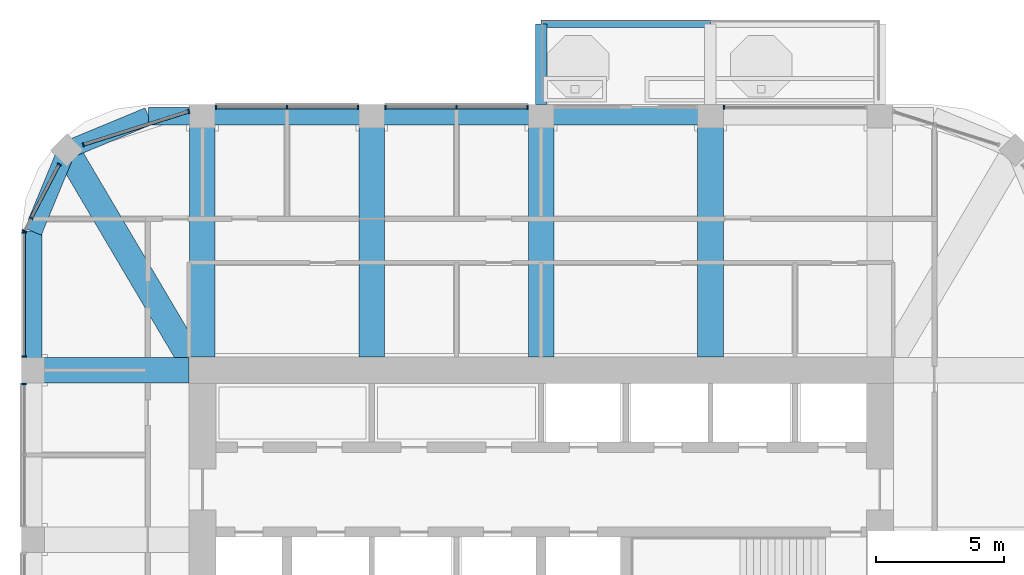
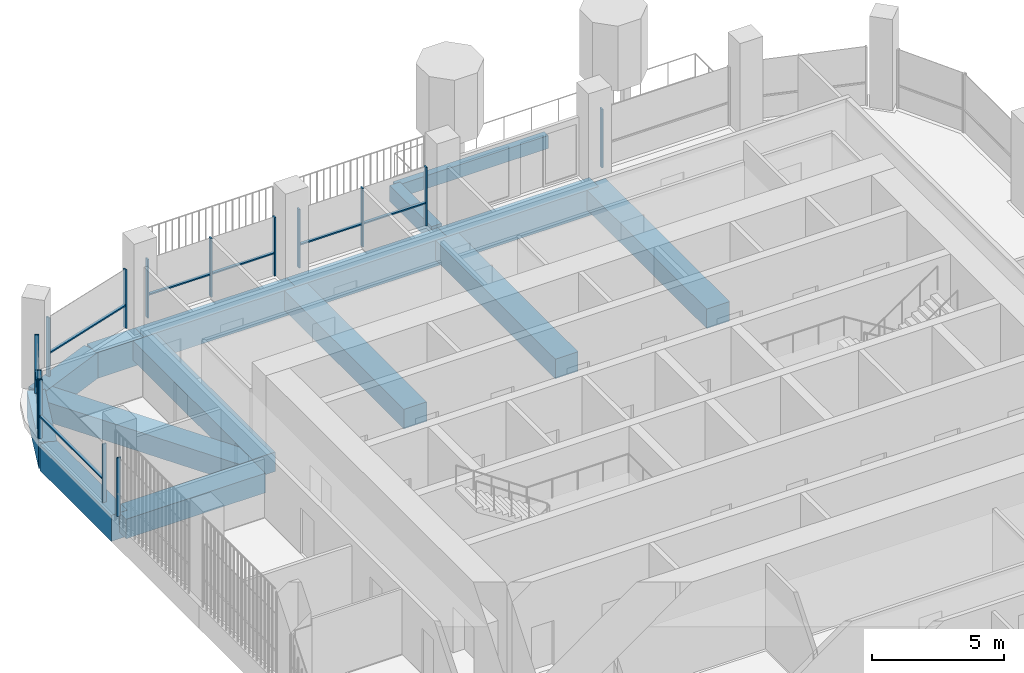
# One storey, part 6 of 21: 22 members, 15 beams, 7 elements without a shape of their own.
"""IFC4 building model written with IfcOpenShell, lengths in metres."""

from ifc_helpers import new_model, si_unit, direction, frame, origin, origin_2d, place, context, subcontext, project, spatial, rectangle, extrude, material, material_profile, profile_set, type_object, element, aggregate, save


model = new_model("IFC4")

# Units and contexts
model_context = context("Model", 3, precision=1e-05, world=origin(), true_north=direction((0.0, 1.0)))
body_context = subcontext(model_context, "Body", "Model", "MODEL_VIEW")
ifc_project = project(units=[si_unit("LENGTHUNIT", "METRE"), si_unit("AREAUNIT", "SQUARE_METRE"), si_unit("VOLUMEUNIT", "CUBIC_METRE"), si_unit("PLANEANGLEUNIT", "RADIAN"), si_unit("MASSUNIT", "GRAM", prefix="KILO")], contexts=[model_context])

# Site, building, storey
site_placement = place(None, origin())
site = spatial("IfcSite", under=ifc_project, at=site_placement, CompositionType="ELEMENT")
building_placement = place(site_placement, origin())
building = spatial("IfcBuilding", under=site, at=building_placement, Name="Cobogo Forest Laboratory Tower", CompositionType="ELEMENT")
storey_placement = place(building_placement, frame((0.0, 0.0, 267.0)))
storey = spatial("IfcBuildingStorey", under=building, at=storey_placement, Name="L61", CompositionType="ELEMENT", Elevation=267.0)

# Beams
ifc_material_1 = material(Name="Concrete HA-40 (C40/50)", Category="concrete")
ifc_material_profile_1 = material_profile(ifc_material_1, rectangle(XDim=0.449951171875, YDim=0.75, at=origin_2d()), Name="RC 450x750")
ifc_profile_set_1 = profile_set([ifc_material_profile_1], Name="Concrete HA-40 (C40/50)")
beam_type_1 = type_object("IfcBeamType", Name="Balcony cantilever beam 450x750", PredefinedType="BEAM", material=ifc_profile_set_1)
beam_1_placement = place(storey_placement, frame((26.39990234375, 43.35009765625, -0.625), z_axis=(0.0, 1.0, 0.0), x_axis=(-1.0, 0.0, 0.0)))
element("IfcBeam", 1, at=beam_1_placement, inside=storey, type_object=beam_type_1, Name="CB1 BAL-N1-C1 L61", PredefinedType="BEAM", context=body_context, shape_type="SweptSolid", body=[
    extrude(rectangle(XDim=0.449951171875, YDim=0.75, at=origin_2d()), origin(), (0.0, 0.0, 1.0), 3.14990234375),
])
ifc_material_profile_2 = material_profile(ifc_material_1, rectangle(XDim=0.300048828125, YDim=0.60009765625, at=origin_2d()), Name="RC 300x600")
ifc_profile_set_2 = profile_set([ifc_material_profile_2], Name="Concrete HA-40 (C40/50)")
beam_type_2 = type_object("IfcBeamType", Name="Balcony edge beam 300x600", PredefinedType="BEAM", material=ifc_profile_set_2)
beam_2_placement = place(storey_placement, frame((26.39990234375, 46.5, -0.550048828125), z_axis=(1.0, 0.0, 0.0), x_axis=(0.0, 1.0, 0.0)))
element("IfcBeam", 2, at=beam_2_placement, inside=storey, type_object=beam_type_2, Name="BB1 BAL-N1-T1 L61", PredefinedType="BEAM", context=body_context, shape_type="SweptSolid", body=[
    extrude(rectangle(XDim=0.300048828125, YDim=0.60009765625, at=origin_2d()), origin(), (0.0, 0.0, 1.0), 6.60009765625),
])

# Curtain wall, member
ifc_material_2 = material(Name="Aluminium curtain wall", Category="aluminium")
curtain_wall_type = type_object("IfcCurtainWallType", Name="CW-2 unitised curtain wall, solar control glazing, laboratory floors zones C and D", PredefinedType="USERDEFINED", material=ifc_material_2)
curtain_wall_1_placement = place(storey_placement, origin())
curtain_wall_1 = element("IfcCurtainWall", 3, at=curtain_wall_1_placement, inside=storey, type_object=curtain_wall_type, Name="Curtain wall 14 L61", ObjectType="UNITISED CURTAIN WALL", PredefinedType="USERDEFINED")
ifc_material_3 = material(Name="Aluminium mullion", Category="aluminium")
ifc_material_profile_3 = material_profile(ifc_material_3, rectangle(XDim=0.06005859375, YDim=0.159912109375, at=origin_2d()), Name="AL 60x160")
ifc_profile_set_3 = profile_set([ifc_material_profile_3], Name="Aluminium mullion")
member_type_1 = type_object("IfcMemberType", Name="MU-1 aluminium mullion 60x160", PredefinedType="MULLION", material=ifc_profile_set_3)
member_1_placement = place(storey_placement, frame((33.530029296875, 43.25, 0.0), z_axis=(0.0, 0.0, 1.0), x_axis=(-1.0, 0.0, 0.0)))
member_1 = element("IfcMember", 4, at=member_1_placement, type_object=member_type_1, Name="CW-2 mullion 2", PredefinedType="MULLION", context=body_context, shape_type="SweptSolid", body=[
    extrude(rectangle(XDim=0.06005859375, YDim=0.159912109375, at=origin_2d()), origin(), (0.0, 0.0, 1.0), 2.699951171875),
])
aggregate(curtain_wall_1, [member_1])

# Curtain wall, members
curtain_wall_2_placement = place(storey_placement, origin())
curtain_wall_2 = element("IfcCurtainWall", 5, at=curtain_wall_2_placement, inside=storey, type_object=curtain_wall_type, Name="Curtain wall 16 L61", ObjectType="UNITISED CURTAIN WALL", PredefinedType="USERDEFINED")
member_2_placement = place(storey_placement, frame((25.8701171875, 43.25, 0.0), z_axis=(0.0, 0.0, 1.0), x_axis=(-1.0, 0.0, 0.0)))
member_2 = element("IfcMember", 6, at=member_2_placement, type_object=member_type_1, Name="CW-2 mullion 1", PredefinedType="MULLION", context=body_context, shape_type="SweptSolid", body=[
    extrude(rectangle(XDim=0.06005859375, YDim=0.159912109375, at=origin_2d()), origin(), (0.0, 0.0, 1.0), 2.699951171875),
])
member_3_placement = place(storey_placement, frame((23.10009765625, 43.25, 0.0), z_axis=(0.0, 0.0, 1.0), x_axis=(-1.0, 0.0, 0.0)))
member_3 = element("IfcMember", 7, at=member_3_placement, type_object=member_type_1, Name="CW-2 mullion 2", PredefinedType="MULLION", context=body_context, shape_type="SweptSolid", body=[
    extrude(rectangle(XDim=0.06005859375, YDim=0.159912109375, at=origin_2d()), origin(), (0.0, 0.0, 1.0), 2.699951171875),
])
member_4_placement = place(storey_placement, frame((20.330078125, 43.25, 0.0), z_axis=(0.0, 0.0, 1.0), x_axis=(-1.0, 0.0, 0.0)))
member_4 = element("IfcMember", 8, at=member_4_placement, type_object=member_type_1, Name="CW-2 mullion 3", PredefinedType="MULLION", context=body_context, shape_type="SweptSolid", body=[
    extrude(rectangle(XDim=0.06005859375, YDim=0.159912109375, at=origin_2d()), origin(), (0.0, 0.0, 1.0), 2.699951171875),
])

curtain_wall_3_placement = place(storey_placement, origin())
curtain_wall_3 = element("IfcCurtainWall", 9, at=curtain_wall_3_placement, inside=storey, type_object=curtain_wall_type, Name="Curtain wall 17 L61", ObjectType="UNITISED CURTAIN WALL", PredefinedType="USERDEFINED")
member_5_placement = place(storey_placement, frame((19.27001953125, 43.25, 0.0), z_axis=(0.0, 0.0, 1.0), x_axis=(-1.0, 0.0, 0.0)))
member_5 = element("IfcMember", 10, at=member_5_placement, type_object=member_type_1, Name="CW-2 mullion 1", PredefinedType="MULLION", context=body_context, shape_type="SweptSolid", body=[
    extrude(rectangle(XDim=0.06005859375, YDim=0.159912109375, at=origin_2d()), origin(), (0.0, 0.0, 1.0), 2.699951171875),
])
member_6_placement = place(storey_placement, frame((16.5, 43.25, 0.0), z_axis=(0.0, 0.0, 1.0), x_axis=(-1.0, 0.0, 0.0)))
member_6 = element("IfcMember", 11, at=member_6_placement, type_object=member_type_1, Name="CW-2 mullion 2", PredefinedType="MULLION", context=body_context, shape_type="SweptSolid", body=[
    extrude(rectangle(XDim=0.06005859375, YDim=0.159912109375, at=origin_2d()), origin(), (0.0, 0.0, 1.0), 2.699951171875),
])
member_7_placement = place(storey_placement, frame((13.72998046875, 43.25, 0.0), z_axis=(0.0, 0.0, 1.0), x_axis=(-1.0, 0.0, 0.0)))
member_7 = element("IfcMember", 12, at=member_7_placement, type_object=member_type_1, Name="CW-2 mullion 3", PredefinedType="MULLION", context=body_context, shape_type="SweptSolid", body=[
    extrude(rectangle(XDim=0.06005859375, YDim=0.159912109375, at=origin_2d()), origin(), (0.0, 0.0, 1.0), 2.699951171875),
])

curtain_wall_4_placement = place(storey_placement, origin())
curtain_wall_4 = element("IfcCurtainWall", 13, at=curtain_wall_4_placement, inside=storey, type_object=curtain_wall_type, Name="Curtain wall 18 L61", ObjectType="UNITISED CURTAIN WALL", PredefinedType="USERDEFINED")
member_8_placement = place(storey_placement, frame((12.67138671875, 43.0830078125, 0.0), z_axis=(0.0, 0.0, 1.0), x_axis=(-0.953581379409, -0.301135439371, 0.0)))
member_8 = element("IfcMember", 14, at=member_8_placement, type_object=member_type_1, Name="CW-2 mullion 1", PredefinedType="MULLION", context=body_context, shape_type="SweptSolid", body=[
    extrude(rectangle(XDim=0.06005859375, YDim=0.159912109375, at=origin_2d()), origin(), (0.0, 0.0, 1.0), 2.699951171875),
])
member_9_placement = place(storey_placement, frame((8.570068359375, 41.787841796875, 0.0), z_axis=(0.0, 0.0, 1.0), x_axis=(-0.953581379409, -0.301135439371, 0.0)))
member_9 = element("IfcMember", 15, at=member_9_placement, type_object=member_type_1, Name="CW-2 mullion 2", PredefinedType="MULLION", context=body_context, shape_type="SweptSolid", body=[
    extrude(rectangle(XDim=0.06005859375, YDim=0.159912109375, at=origin_2d()), origin(), (0.0, 0.0, 1.0), 2.699951171875),
])

curtain_wall_5_placement = place(storey_placement, origin())
curtain_wall_5 = element("IfcCurtainWall", 16, at=curtain_wall_5_placement, inside=storey, type_object=curtain_wall_type, Name="Curtain wall 19 L61", ObjectType="UNITISED CURTAIN WALL", PredefinedType="USERDEFINED")
member_10_placement = place(storey_placement, frame((7.6220703125, 41.017333984375, 0.0), z_axis=(0.0, 0.0, 1.0), x_axis=(-0.464283778337, -0.885686498245, 0.0)))
member_10 = element("IfcMember", 17, at=member_10_placement, type_object=member_type_1, Name="CW-2 mullion 1", PredefinedType="MULLION", context=body_context, shape_type="SweptSolid", body=[
    extrude(rectangle(XDim=0.06005859375, YDim=0.159912109375, at=origin_2d()), origin(), (0.0, 0.0, 1.0), 2.699951171875),
])
member_11_placement = place(storey_placement, frame((6.531494140625, 38.937255859375, 0.0), z_axis=(0.0, 0.0, 1.0), x_axis=(-0.464283778337, -0.885686498245, 0.0)))
member_11 = element("IfcMember", 18, at=member_11_placement, type_object=member_type_1, Name="CW-2 mullion 2", PredefinedType="MULLION", context=body_context, shape_type="SweptSolid", body=[
    extrude(rectangle(XDim=0.06005859375, YDim=0.159912109375, at=origin_2d()), origin(), (0.0, 0.0, 1.0), 2.699951171875),
])
member_12_placement = place(storey_placement, frame((6.263916015625, 38.426513671875, 0.0), z_axis=(0.0, 0.0, 1.0), x_axis=(-0.464283778337, -0.885686498245, 0.0)))
member_12 = element("IfcMember", 19, at=member_12_placement, type_object=member_type_1, Name="CW-2 mullion 3", PredefinedType="MULLION", context=body_context, shape_type="SweptSolid", body=[
    extrude(rectangle(XDim=0.06005859375, YDim=0.159912109375, at=origin_2d()), origin(), (0.0, 0.0, 1.0), 2.699951171875),
])

curtain_wall_6_placement = place(storey_placement, origin())
curtain_wall_6 = element("IfcCurtainWall", 20, at=curtain_wall_6_placement, inside=storey, type_object=curtain_wall_type, Name="Curtain wall 20 L61", ObjectType="UNITISED CURTAIN WALL", PredefinedType="USERDEFINED")
member_13_placement = place(storey_placement, frame((6.25, 38.3701171875, 0.0), z_axis=(0.0, 0.0, 1.0), x_axis=(0.0, -1.0, 0.0)))
member_13 = element("IfcMember", 21, at=member_13_placement, type_object=member_type_1, Name="CW-2 mullion 1", PredefinedType="MULLION", context=body_context, shape_type="SweptSolid", body=[
    extrude(rectangle(XDim=0.06005859375, YDim=0.159912109375, at=origin_2d()), origin(), (0.0, 0.0, 1.0), 2.699951171875),
])
member_14_placement = place(storey_placement, frame((6.25, 33.530029296875, 0.0), z_axis=(0.0, 0.0, 1.0), x_axis=(0.0, -1.0, 0.0)))
member_14 = element("IfcMember", 22, at=member_14_placement, type_object=member_type_1, Name="CW-2 mullion 2", PredefinedType="MULLION", context=body_context, shape_type="SweptSolid", body=[
    extrude(rectangle(XDim=0.06005859375, YDim=0.159912109375, at=origin_2d()), origin(), (0.0, 0.0, 1.0), 2.699951171875),
])

# Curtain wall, member
curtain_wall_7_placement = place(storey_placement, origin())
curtain_wall_7 = element("IfcCurtainWall", 23, at=curtain_wall_7_placement, inside=storey, type_object=curtain_wall_type, Name="Curtain wall 21 L61", ObjectType="UNITISED CURTAIN WALL", PredefinedType="USERDEFINED")
member_15_placement = place(storey_placement, frame((6.25, 32.469970703125, 0.0), z_axis=(0.0, 0.0, 1.0), x_axis=(0.0, -1.0, 0.0)))
member_15 = element("IfcMember", 24, at=member_15_placement, type_object=member_type_1, Name="CW-2 mullion 1", PredefinedType="MULLION", context=body_context, shape_type="SweptSolid", body=[
    extrude(rectangle(XDim=0.06005859375, YDim=0.159912109375, at=origin_2d()), origin(), (0.0, 0.0, 1.0), 2.699951171875),
])
aggregate(curtain_wall_7, [member_15])

# Beams
ifc_material_profile_4 = material_profile(ifc_material_1, rectangle(XDim=1.0, YDim=0.89990234375, at=origin_2d()), Name="RC 1000x900")
ifc_profile_set_4 = profile_set([ifc_material_profile_4], Name="Concrete HA-40 (C40/50)")
beam_type_3 = type_object("IfcBeamType", Name="Office floor wide beam 1000x900", PredefinedType="BEAM", material=ifc_profile_set_4)
for number, where, z_axis, x_axis, name in (
    (25, (13.199951171875, 33.52490234375, -0.75), (0.0, 1.0, 0.0), (-1.0, 0.0, 0.0), "RB2 R-3-N L61"),
    (26, (19.800048828125, 33.52490234375, -0.75), (0.0, 1.0, 0.0), (-1.0, 0.0, 0.0), "RB2 R-4-N L61"),
    (27, (26.39990234375, 33.52490234375, -0.75), (0.0, 1.0, 0.0), (-1.0, 0.0, 0.0), "RB2 R-5-N L61"),
    (28, (33.0, 33.52490234375, -0.75), (0.0, 1.0, 0.0), (-1.0, 0.0, 0.0), "RB2 R-6-N L61"),
):
    element("IfcBeam", number, at=place(storey_placement, frame(where, z_axis=z_axis, x_axis=x_axis)), inside=storey, type_object=beam_type_3, Name=name, PredefinedType="BEAM", context=body_context, shape_type="SweptSolid", body=[
        extrude(rectangle(XDim=1.0, YDim=0.89990234375, at=origin_2d()), origin(), (0.0, 0.0, 1.0), 9.375),
    ])
beam_3_placement = place(storey_placement, frame((12.675048828125, 33.0, -0.75), z_axis=(-1.0, 0.0, 0.0), x_axis=(0.0, -1.0, 0.0)))
element("IfcBeam", 29, at=beam_3_placement, inside=storey, type_object=beam_type_3, Name="RB2 R-F-W L61", PredefinedType="BEAM", context=body_context, shape_type="SweptSolid", body=[
    extrude(rectangle(XDim=1.0, YDim=0.89990234375, at=origin_2d()), origin(), (0.0, 0.0, 1.0), 6.074951171875),
])
beam_4_placement = place(storey_placement, frame((7.91796875, 41.58203125, -0.75), z_axis=(0.508416325908, -0.861111397875, 0.0), x_axis=(0.861111397875, 0.508416325908, 0.0)))
element("IfcBeam", 30, at=beam_4_placement, inside=storey, type_object=beam_type_3, Name="RB2 G-NW-D1 L61", PredefinedType="BEAM", context=body_context, shape_type="SweptSolid", body=[
    extrude(rectangle(XDim=1.0, YDim=0.89990234375, at=origin_2d()), origin(), (0.0, 0.0, 1.0), 9.356689453125),
])
ifc_material_profile_5 = material_profile(ifc_material_1, rectangle(XDim=0.699951171875, YDim=1.199951171875, at=origin_2d()), Name="RC 700x1200")
ifc_profile_set_5 = profile_set([ifc_material_profile_5], Name="Concrete HA-40 (C40/50)")
beam_type_4 = type_object("IfcBeamType", Name="Perimeter edge beam 700x1200", PredefinedType="BEAM", material=ifc_profile_set_5)
beam_5_placement = place(storey_placement, frame((13.199951171875, 42.89990234375, -0.89990234375), z_axis=(1.0, 0.0, 0.0), x_axis=(0.0, 1.0, 0.0)))
element("IfcBeam", 31, at=beam_5_placement, inside=storey, type_object=beam_type_4, Name="EB1 E-N1 L61", PredefinedType="BEAM", context=body_context, shape_type="SweptSolid", body=[
    extrude(rectangle(XDim=0.699951171875, YDim=1.199951171875, at=origin_2d()), origin(), (0.0, 0.0, 1.0), 6.60009765625),
])
beam_6_placement = place(storey_placement, frame((19.800048828125, 42.89990234375, -0.89990234375), z_axis=(1.0, 0.0, 0.0), x_axis=(0.0, 1.0, 0.0)))
element("IfcBeam", 32, at=beam_6_placement, inside=storey, type_object=beam_type_4, Name="EB1 E-N2 L61", PredefinedType="BEAM", context=body_context, shape_type="SweptSolid", body=[
    extrude(rectangle(XDim=0.699951171875, YDim=1.199951171875, at=origin_2d()), origin(), (0.0, 0.0, 1.0), 6.599853515625),
])
beam_7_placement = place(storey_placement, frame((26.39990234375, 42.89990234375, -0.89990234375), z_axis=(1.0, 0.0, 0.0), x_axis=(0.0, 1.0, 0.0)))
element("IfcBeam", 33, at=beam_7_placement, inside=storey, type_object=beam_type_4, Name="EB1 E-N3 L61", PredefinedType="BEAM", context=body_context, shape_type="SweptSolid", body=[
    extrude(rectangle(XDim=0.699951171875, YDim=1.199951171875, at=origin_2d()), origin(), (0.0, 0.0, 1.0), 6.60009765625),
])
beam_8_placement = place(storey_placement, frame((13.199951171875, 42.89990234375, -0.89990234375), z_axis=(-1.0, 0.0, 0.0), x_axis=(0.0, -1.0, 0.0)))
element("IfcBeam", 34, at=beam_8_placement, inside=storey, type_object=beam_type_4, Name="EB1 E-NWN1 L61", PredefinedType="BEAM", context=body_context, shape_type="SweptSolid", body=[
    extrude(rectangle(XDim=0.699951171875, YDim=1.199951171875, at=origin_2d()), origin(), (0.0, 0.0, 1.0), 2.099853515625),
])
beam_9_placement = place(storey_placement, frame((11.10009765625, 42.89990234375, -0.89990234375), z_axis=(-0.923901072997, -0.382631424892, 0.0), x_axis=(0.382631424892, -0.923901072997, 0.0)))
element("IfcBeam", 35, at=beam_9_placement, inside=storey, type_object=beam_type_4, Name="EB1 E-NWN2 L61", PredefinedType="BEAM", context=body_context, shape_type="SweptSolid", body=[
    extrude(rectangle(XDim=0.699951171875, YDim=1.199951171875, at=origin_2d()), origin(), (0.0, 0.0, 1.0), 3.4443359375),
])
beam_10_placement = place(storey_placement, frame((6.60009765625, 33.0, -0.89990234375), z_axis=(0.0, 1.0, 0.0), x_axis=(-1.0, 0.0, 0.0)))
element("IfcBeam", 36, at=beam_10_placement, inside=storey, type_object=beam_type_4, Name="EB1 E-NWW1 L61", PredefinedType="BEAM", context=body_context, shape_type="SweptSolid", body=[
    extrude(rectangle(XDim=0.699951171875, YDim=1.199951171875, at=origin_2d()), origin(), (0.0, 0.0, 1.0), 5.39990234375),
])
beam_11_placement = place(storey_placement, frame((6.60009765625, 38.39990234375, -0.89990234375), z_axis=(0.382631424892, 0.923901072997, 0.0), x_axis=(-0.923901072997, 0.382631424892, 0.0)))
element("IfcBeam", 37, at=beam_11_placement, inside=storey, type_object=beam_type_4, Name="EB1 E-NWW2 L61", PredefinedType="BEAM", context=body_context, shape_type="SweptSolid", body=[
    extrude(rectangle(XDim=0.699951171875, YDim=1.199951171875, at=origin_2d()), origin(), (0.0, 0.0, 1.0), 3.4443359375),
])

# Member
ifc_material_4 = material(Name="Aluminium transom", Category="aluminium")
ifc_material_profile_6 = material_profile(ifc_material_4, rectangle(XDim=0.1201171875, YDim=0.06005859375, at=origin_2d()), Name="AL 60x120")
ifc_profile_set_6 = profile_set([ifc_material_profile_6], Name="Aluminium transom")
member_type_2 = type_object("IfcMemberType", Name="TR-1 aluminium transom 60x120", PredefinedType="USERDEFINED", material=ifc_profile_set_6)
member_16_placement = place(storey_placement, frame((25.840087890625, 43.25, 1.050048828125), z_axis=(-1.0, 0.0, 0.0), x_axis=(0.0, -1.0, 0.0)))
member_16 = element("IfcMember", 38, at=member_16_placement, type_object=member_type_2, Name="CW-2 transom 1.1", ObjectType="TRANSOM", PredefinedType="USERDEFINED", context=body_context, shape_type="SweptSolid", body=[
    extrude(rectangle(XDim=0.1201171875, YDim=0.06005859375, at=origin_2d()), origin(), (0.0, 0.0, 1.0), 2.710205078125),
])

member_17_placement = place(storey_placement, frame((23.070068359375, 43.25, 1.050048828125), z_axis=(-1.0, 0.0, 0.0), x_axis=(0.0, -1.0, 0.0)))
member_17 = element("IfcMember", 39, at=member_17_placement, type_object=member_type_2, Name="CW-2 transom 2.1", ObjectType="TRANSOM", PredefinedType="USERDEFINED", context=body_context, shape_type="SweptSolid", body=[
    extrude(rectangle(XDim=0.1201171875, YDim=0.06005859375, at=origin_2d()), origin(), (0.0, 0.0, 1.0), 2.7099609375),
])

aggregate(curtain_wall_2, [member_2, member_3, member_4, member_16, member_17])

member_18_placement = place(storey_placement, frame((19.239990234375, 43.25, 1.050048828125), z_axis=(-1.0, 0.0, 0.0), x_axis=(0.0, -1.0, 0.0)))
member_18 = element("IfcMember", 40, at=member_18_placement, type_object=member_type_2, Name="CW-2 transom 1.1", ObjectType="TRANSOM", PredefinedType="USERDEFINED", context=body_context, shape_type="SweptSolid", body=[
    extrude(rectangle(XDim=0.1201171875, YDim=0.06005859375, at=origin_2d()), origin(), (0.0, 0.0, 1.0), 2.7099609375),
])

member_19_placement = place(storey_placement, frame((16.469970703125, 43.25, 1.050048828125), z_axis=(-1.0, 0.0, 0.0), x_axis=(0.0, -1.0, 0.0)))
member_19 = element("IfcMember", 41, at=member_19_placement, type_object=member_type_2, Name="CW-2 transom 2.1", ObjectType="TRANSOM", PredefinedType="USERDEFINED", context=body_context, shape_type="SweptSolid", body=[
    extrude(rectangle(XDim=0.1201171875, YDim=0.06005859375, at=origin_2d()), origin(), (0.0, 0.0, 1.0), 2.7099609375),
])

aggregate(curtain_wall_3, [member_5, member_6, member_7, member_18, member_19])

member_20_placement = place(storey_placement, frame((12.642822265625, 43.073974609375, 1.050048828125), z_axis=(-0.953583535148, -0.30112861288, 0.0), x_axis=(0.30112861288, -0.953583535148, 0.0)))
member_20 = element("IfcMember", 42, at=member_20_placement, type_object=member_type_2, Name="CW-2 transom 1.1", ObjectType="TRANSOM", PredefinedType="USERDEFINED", context=body_context, shape_type="SweptSolid", body=[
    extrude(rectangle(XDim=0.1201171875, YDim=0.06005859375, at=origin_2d()), origin(), (0.0, 0.0, 1.0), 4.240966796875),
])

aggregate(curtain_wall_4, [member_8, member_9, member_20])

member_21_placement = place(storey_placement, frame((7.608154296875, 40.99072265625, 1.050048828125), z_axis=(-0.464325829823, -0.885664453255, 0.0), x_axis=(0.885664453255, -0.464325829823, 0.0)))
member_21 = element("IfcMember", 43, at=member_21_placement, type_object=member_type_2, Name="CW-2 transom 1.1", ObjectType="TRANSOM", PredefinedType="USERDEFINED", context=body_context, shape_type="SweptSolid", body=[
    extrude(rectangle(XDim=0.1201171875, YDim=0.06005859375, at=origin_2d()), origin(), (0.0, 0.0, 1.0), 2.288818359375),
])

aggregate(curtain_wall_5, [member_10, member_11, member_12, member_21])

member_22_placement = place(storey_placement, frame((6.25, 38.340087890625, 1.050048828125), z_axis=(0.0, -1.0, 0.0), x_axis=(1.0, 0.0, 0.0)))
member_22 = element("IfcMember", 44, at=member_22_placement, type_object=member_type_2, Name="CW-2 transom 1.1", ObjectType="TRANSOM", PredefinedType="USERDEFINED", context=body_context, shape_type="SweptSolid", body=[
    extrude(rectangle(XDim=0.1201171875, YDim=0.06005859375, at=origin_2d()), origin(), (0.0, 0.0, 1.0), 4.780029296875),
])

aggregate(curtain_wall_6, [member_13, member_14, member_22])

save(model, "model.ifc")
